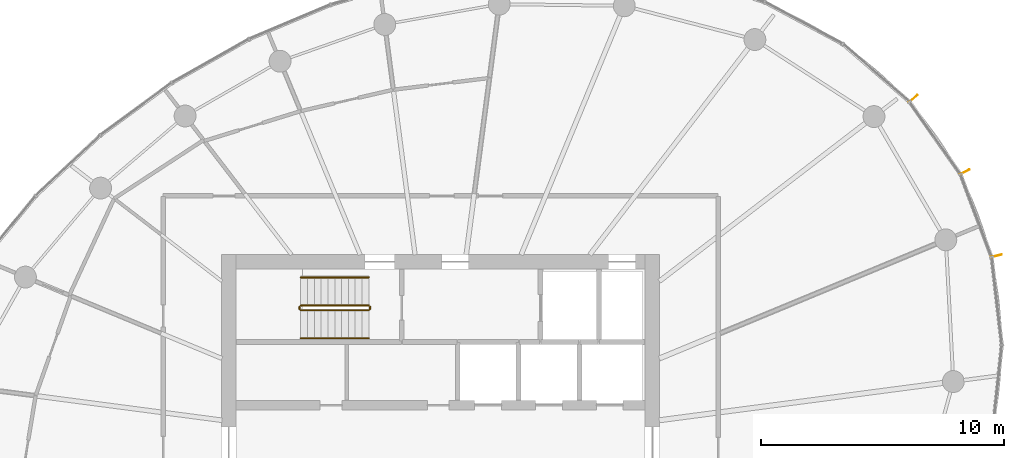
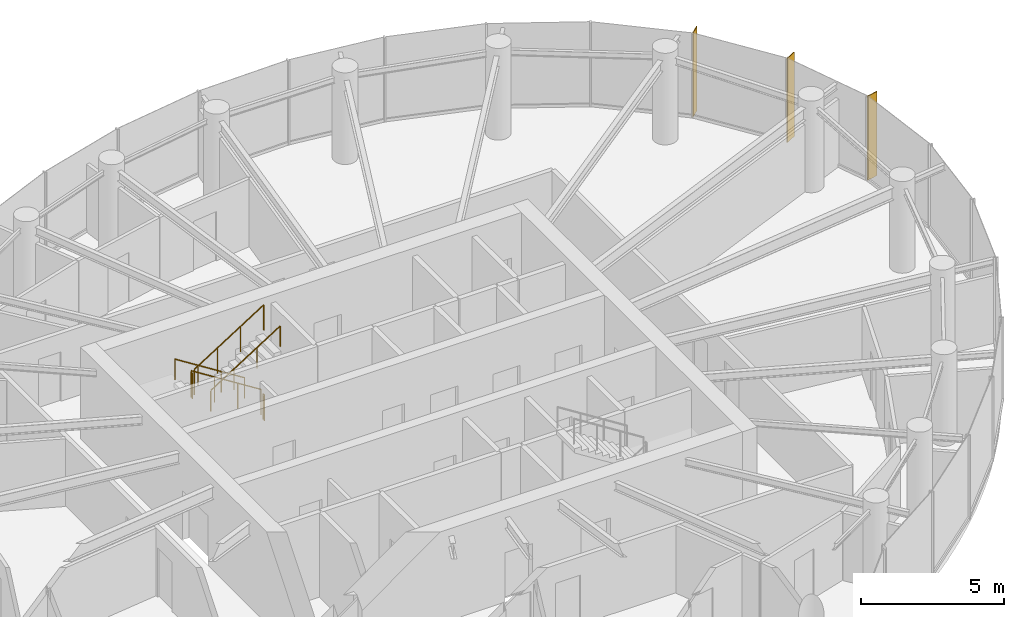
# One storey, part 13 of 13: 6 railings, 3 shading devices.
"""IFC4 building model written with IfcOpenShell, lengths in metres."""

import ifcopenshell
import ifcopenshell.guid

model = None  # the IFC model being written
_history = None  # IfcOwnerHistory: only IFC2X3 demands one
_inside = {}  # id of a spatial element -> (the spatial element, [elements in it])
_under = {}  # id of a project, library or spatial element -> (it, [spatial elements below it])
_declared = {}  # id of a project -> (the project, [libraries it declares])
_typed = {}  # id of a type object -> (the type object, [elements of that type])
_made_of = {}  # id of a material, layer set ... -> (it, [elements and type objects made of it])


def new_model(schema):
    """Start an empty IFC model of exactly this schema.

    Asked for "IFC4X3", IfcOpenShell would pick the latest addendum, in which some entities
    have other attributes; the version numbers below select the first issue.
    IFC2X3 requires an IfcOwnerHistory on every rooted entity: one is made here for all.
    """
    global model, _history
    if schema == "IFC4X3":
        model = ifcopenshell.file(schema_version=(4, 3, 0, 0))
    else:
        model = ifcopenshell.file(schema=schema)
    _inside.clear()
    _under.clear()
    _declared.clear()
    _typed.clear()
    _made_of.clear()
    _history = None
    if model.schema == "IFC2X3":
        org = make("IfcOrganization", Name="unknown")
        user = make(
            "IfcPersonAndOrganization",
            ThePerson=make("IfcPerson", FamilyName="unknown"),
            TheOrganization=org,
        )
        app = make(
            "IfcApplication",
            ApplicationDeveloper=org,
            Version="unknown",
            ApplicationFullName="unknown",
            ApplicationIdentifier="unknown",
        )
        _history = make(
            "IfcOwnerHistory",
            OwningUser=user,
            OwningApplication=app,
            ChangeAction="ADDED",
            CreationDate=0,
        )
    return model


def make(cls, **values):
    """One entity of the class cls with the attributes given. An attribute that is None is left unset."""
    return model.create_entity(
        cls, **{name: value for name, value in values.items() if value is not None}
    )


def rooted(cls, **values):
    """An entity with a GlobalId (a new one), such as an element, a storey or a relation."""
    return make(cls, GlobalId=ifcopenshell.guid.new(), OwnerHistory=_history, **values)


def si_unit(unit_type, name, prefix=None):
    """IfcSIUnit, for example si_unit("LENGTHUNIT", "METRE", prefix="MILLI")."""
    return make("IfcSIUnit", UnitType=unit_type, Prefix=prefix, Name=name)


def assignment(units):
    """IfcUnitAssignment: the units of a project."""
    return None if units is None else make("IfcUnitAssignment", Units=units)


def point(xyz):
    """IfcCartesianPoint."""
    return None if xyz is None else make("IfcCartesianPoint", Coordinates=xyz)


def direction(xyz):
    """IfcDirection."""
    return None if xyz is None else make("IfcDirection", DirectionRatios=xyz)


def frame(location, z_axis=None, x_axis=None):
    """IfcAxis2Placement3D, a coordinate frame: its origin and axes. An axis left out is left unset."""
    return make(
        "IfcAxis2Placement3D",
        Location=point(location),
        Axis=direction(z_axis),
        RefDirection=direction(x_axis),
    )


def frame_2d(location, x_axis=None):
    """IfcAxis2Placement2D, a coordinate frame in the plane: its origin and x axis."""
    return make(
        "IfcAxis2Placement2D", Location=point(location), RefDirection=direction(x_axis)
    )


def origin():
    """The frame at (0, 0, 0) with its axes left unset."""
    return frame((0.0, 0.0, 0.0))


def origin_2d():
    """The frame at (0, 0) in the plane with its x axis left unset."""
    return frame_2d((0.0, 0.0))


def place(relative_to, where):
    """IfcLocalPlacement: puts the frame where relative to a parent placement (None: the world)."""
    return make(
        "IfcLocalPlacement", PlacementRelTo=relative_to, RelativePlacement=where
    )


def context(
    kind, dimensions, precision=None, world=None, true_north=None, identifier=None
):
    """IfcGeometricRepresentationContext, for example the 3D "Model" context."""
    return make(
        "IfcGeometricRepresentationContext",
        ContextIdentifier=identifier,
        ContextType=kind,
        CoordinateSpaceDimension=dimensions,
        Precision=precision,
        WorldCoordinateSystem=world,
        TrueNorth=true_north,
    )


def subcontext(parent, identifier, kind, view, scale=None):
    """IfcGeometricRepresentationSubContext, for example "Body" below "Model"."""
    return make(
        "IfcGeometricRepresentationSubContext",
        ContextIdentifier=identifier,
        ContextType=kind,
        ParentContext=parent,
        TargetScale=scale,
        TargetView=view,
    )


def project(units=None, contexts=None):
    """IfcProject with its units and contexts."""
    return rooted(
        "IfcProject",
        Name="project",
        RepresentationContexts=contexts,
        UnitsInContext=assignment(units),
    )


def spatial(cls, under=None, at=None, **own):
    """A site, building, storey or space (cls), placed at a placement, below another one or the project."""
    s = rooted(cls, ObjectPlacement=at, **own)
    if under is not None:
        _under.setdefault(under.id(), (under, []))[1].append(s)
    return s


def profile(cls, at=None, kind="AREA", **sizes):
    """A parametric profile (cls). Its sizes go by their IFC names, for example OverallWidth=200.0."""
    return make(cls, ProfileType=kind, Position=at, **sizes)


def rectangle(**sizes):
    """IfcRectangleProfileDef."""
    return profile("IfcRectangleProfileDef", **sizes)


def circle(**sizes):
    """IfcCircleProfileDef."""
    return profile("IfcCircleProfileDef", **sizes)


def extrude(swept, where, along, depth):
    """IfcExtrudedAreaSolid: the profile swept, set in the frame where, extruded along a direction by depth."""
    return make(
        "IfcExtrudedAreaSolid",
        SweptArea=swept,
        Position=where,
        ExtrudedDirection=direction(along),
        Depth=depth,
    )


def shape(context_of_items, identifier, shape_type, items):
    """IfcShapeRepresentation: the items that make up one representation, for example the "Body"."""
    return make(
        "IfcShapeRepresentation",
        ContextOfItems=context_of_items,
        RepresentationIdentifier=identifier,
        RepresentationType=shape_type,
        Items=items,
    )


def source(mapping_origin, context_of_items, identifier, shape_type, items):
    """IfcRepresentationMap: a shape defined once, which mapped items show again and again."""
    return make(
        "IfcRepresentationMap",
        MappingOrigin=mapping_origin,
        MappedRepresentation=shape(context_of_items, identifier, shape_type, items),
    )


def transform(
    local_origin,
    x_axis=None,
    y_axis=None,
    z_axis=None,
    scale=None,
    scale2=None,
    scale3=None,
    uniform=True,
):
    """IfcCartesianTransformationOperator3D, or its non-uniform kind. x_axis, y_axis, z_axis: its Axis1, 2, 3."""
    if uniform:
        return make(
            "IfcCartesianTransformationOperator3D",
            Axis1=direction(x_axis),
            Axis2=direction(y_axis),
            LocalOrigin=point(local_origin),
            Scale=scale,
            Axis3=direction(z_axis),
        )
    return make(
        "IfcCartesianTransformationOperator3DnonUniform",
        Axis1=direction(x_axis),
        Axis2=direction(y_axis),
        LocalOrigin=point(local_origin),
        Scale=scale,
        Axis3=direction(z_axis),
        Scale2=scale2,
        Scale3=scale3,
    )


def mapped(mapping_source, mapping_target):
    """IfcMappedItem: shows the shape of a source again, moved by a transform."""
    return make(
        "IfcMappedItem", MappingSource=mapping_source, MappingTarget=mapping_target
    )


def material(Name=None, Category=None):
    """IfcMaterial."""
    return make("IfcMaterial", Name=Name, Category=Category)


def material_profile(
    of_material, cross_section, Name=None, Category=None, Priority=None
):
    """IfcMaterialProfile: a cross section and its material."""
    return make(
        "IfcMaterialProfile",
        Name=Name,
        Material=of_material,
        Profile=cross_section,
        Priority=Priority,
        Category=Category,
    )


def profile_set(profiles, Name=None, composite=None):
    """IfcMaterialProfileSet."""
    return make(
        "IfcMaterialProfileSet",
        Name=Name,
        MaterialProfiles=profiles,
        CompositeProfile=composite,
    )


def made_of(thing, what):
    """Note that an element or type object is made of a material, layer set ...; save() writes the relation."""
    if what is not None:
        _made_of.setdefault(what.id(), (what, []))[1].append(thing)
    return thing


def type_object(cls, material=None, **own):
    """A type object (cls), such as IfcWallType, which elements share."""
    return made_of(rooted(cls, **own), material)


def element(
    cls,
    number,
    at=None,
    inside=None,
    cuts=None,
    type_object=None,
    material=None,
    context=None,
    identifier="Body",
    shape_type=None,
    held_by="IfcProductDefinitionShape",
    body=None,
    shapes=None,
    **own,
):
    """One element of the class cls, such as IfcWall. Its Tag is "e" and its number.

    at: its placement. inside: the storey or other place that contains it. cuts: it is an
    opening in that element (IfcRelVoidsElement). A single representation is given by context,
    identifier, shape_type and body (its items); several are given by shapes. held_by: the class
    of the entity that holds the representations. save() writes the other relations.
    """
    e = rooted(cls, Tag="e%d" % number, ObjectPlacement=at, **own)
    if body is not None:
        shapes = [shape(context, identifier, shape_type, body)]
    if shapes is not None:
        e.Representation = make(held_by, Representations=shapes)
    if inside is not None:
        _inside.setdefault(inside.id(), (inside, []))[1].append(e)
    if cuts is not None:
        rooted(
            "IfcRelVoidsElement", RelatingBuildingElement=cuts, RelatedOpeningElement=e
        )
    if type_object is not None:
        _typed.setdefault(type_object.id(), (type_object, []))[1].append(e)
    return made_of(e, material)


def aggregate(whole, parts):
    """IfcRelAggregates: a whole, such as a stair, and the parts it consists of."""
    return rooted("IfcRelAggregates", RelatingObject=whole, RelatedObjects=parts)


def save(model, path):
    """Write the relations noted so far, then the file.

    IfcRelAggregates (storeys below a building ...), IfcRelContainedInSpatialStructure (elements
    in a storey), IfcRelDefinesByType, IfcRelAssociatesMaterial and IfcRelDeclares: one each for
    every whole, place, type object, material and project.
    """
    for whole, parts in _under.values():
        aggregate(whole, parts)
    for where, things in _inside.values():
        rooted(
            "IfcRelContainedInSpatialStructure",
            RelatedElements=things,
            RelatingStructure=where,
        )
    for kind, things in _typed.values():
        rooted("IfcRelDefinesByType", RelatedObjects=things, RelatingType=kind)
    for what, things in _made_of.values():
        rooted("IfcRelAssociatesMaterial", RelatedObjects=things, RelatingMaterial=what)
    for by, libraries in _declared.values():
        rooted("IfcRelDeclares", RelatingContext=by, RelatedDefinitions=libraries)
    model.write(path)


model = new_model("IFC4")

# Units and contexts
model_context = context("Model", 3, precision=1e-05, world=origin(), true_north=direction((0.0, 1.0)))
body_context = subcontext(model_context, "Body", "Model", "MODEL_VIEW")
ifc_project = project(units=[si_unit("LENGTHUNIT", "METRE"), si_unit("AREAUNIT", "SQUARE_METRE"), si_unit("VOLUMEUNIT", "CUBIC_METRE"), si_unit("PLANEANGLEUNIT", "RADIAN"), si_unit("MASSUNIT", "GRAM", prefix="KILO")], contexts=[model_context])

# Site, building, storey
site_placement = place(None, origin())
site = spatial("IfcSite", under=ifc_project, at=site_placement, CompositionType="ELEMENT")
building_placement = place(site_placement, origin())
building = spatial("IfcBuilding", under=site, at=building_placement, Name="Spindrift Exchange Tower", CompositionType="ELEMENT")
storey_placement = place(building_placement, frame((0.0, 0.0, 222.800048828125)))
storey = spatial("IfcBuildingStorey", under=building, at=storey_placement, Name="L54", CompositionType="ELEMENT", Elevation=222.800048828125)

# Railings
ifc_material_1 = material(Name="Steel balustrade", Category="steel")
railing_type_1 = type_object("IfcRailingType", Name="RL-STAIR-GUARD", PredefinedType="GUARDRAIL", material=ifc_material_1)
railing_1_placement = place(storey_placement, frame((49.050048828125, 53.89990234375, 0.17724609375)))
element("IfcRailing", 1, at=railing_1_placement, inside=storey, type_object=railing_type_1, Name="L54 ST1 stair guard 1", PredefinedType="GUARDRAIL", context=body_context, shape_type="SweptSolid", body=[
    extrude(circle(Radius=0.02392578125, at=origin_2d()), frame((0.0, 0.0, 1.076171875), z_axis=(-0.844908973607, 0.0, 0.534910110503), x_axis=(0.0, -1.0, 0.0)), (0.0, 0.0, 1.0), 3.31396484375),
    extrude(circle(Radius=0.02099609375, at=origin_2d()), origin(), (0.0, 0.0, 1.0), 1.052001953125),
    extrude(circle(Radius=0.02099609375, at=origin_2d()), frame((-0.933349609375, 0.0, 0.5908203125)), (0.0, 0.0, 1.0), 1.052001953125),
    extrude(circle(Radius=0.02099609375, at=origin_2d()), frame((-1.86669921875, 0.0, 1.181884765625)), (0.0, 0.0, 1.0), 1.052001953125),
    extrude(circle(Radius=0.02099609375, at=origin_2d()), frame((-2.800048828125, 0.0, 1.772705078125)), (0.0, 0.0, 1.0), 1.052001953125),
])
railing_2_placement = place(storey_placement, frame((46.199951171875, 53.85009765625, 1.949951171875)))
element("IfcRailing", 2, at=railing_2_placement, inside=storey, type_object=railing_type_1, Name="L54 ST1 stair guard 2", PredefinedType="GUARDRAIL", context=body_context, shape_type="SweptSolid", body=[
    extrude(circle(Radius=0.02392578125, at=origin_2d()), frame((0.0, 0.0, 1.076171875), z_axis=(0.0, -1.0, 0.0), x_axis=(1.0, 0.0, 0.0)), (0.0, 0.0, 1.0), 0.10009765625),
    extrude(circle(Radius=0.02099609375, at=origin_2d()), origin(), (0.0, 0.0, 1.0), 1.052001953125),
    extrude(circle(Radius=0.02099609375, at=origin_2d()), frame((0.0, -0.10009765625, 0.0)), (0.0, 0.0, 1.0), 1.052001953125),
])
railing_3_placement = place(storey_placement, frame((46.25, 53.699951171875, 2.127197265625)))
element("IfcRailing", 3, at=railing_3_placement, inside=storey, type_object=railing_type_1, Name="L54 ST1 stair guard 3", PredefinedType="GUARDRAIL", context=body_context, shape_type="SweptSolid", body=[
    extrude(circle(Radius=0.02392578125, at=origin_2d()), frame((0.0, 0.0, 1.076171875), z_axis=(0.844908973607, 0.0, 0.534910110503), x_axis=(0.0, 1.0, 0.0)), (0.0, 0.0, 1.0), 3.31396484375),
    extrude(circle(Radius=0.02099609375, at=origin_2d()), origin(), (0.0, 0.0, 1.0), 1.052001953125),
    extrude(circle(Radius=0.02099609375, at=origin_2d()), frame((0.933349609375, 0.0, 0.5908203125)), (0.0, 0.0, 1.0), 1.052001953125),
    extrude(circle(Radius=0.02099609375, at=origin_2d()), frame((1.86669921875, 0.0, 1.181884765625)), (0.0, 0.0, 1.0), 1.052001953125),
    extrude(circle(Radius=0.02099609375, at=origin_2d()), frame((2.800048828125, 0.0, 1.772705078125)), (0.0, 0.0, 1.0), 1.052001953125),
])
railing_4_placement = place(storey_placement, frame((49.10009765625, 53.85009765625, 0.0)))
element("IfcRailing", 4, at=railing_4_placement, inside=storey, type_object=railing_type_1, Name="L54 ST1 stair guard 4", PredefinedType="GUARDRAIL", context=body_context, shape_type="SweptSolid", body=[
    extrude(circle(Radius=0.02392578125, at=origin_2d()), frame((0.0, 0.0, 1.076171875), z_axis=(0.0, -1.0, 0.0), x_axis=(1.0, 0.0, 0.0)), (0.0, 0.0, 1.0), 0.10009765625),
    extrude(circle(Radius=0.02099609375, at=origin_2d()), origin(), (0.0, 0.0, 1.0), 1.052001953125),
    extrude(circle(Radius=0.02099609375, at=origin_2d()), frame((0.0, -0.10009765625, 0.0)), (0.0, 0.0, 1.0), 1.052001953125),
])
ifc_material_2 = material(Name="Steel tubular handrail", Category="steel")
railing_type_2 = type_object("IfcRailingType", Name="RL-STAIR-HAND", PredefinedType="HANDRAIL", material=ifc_material_2)
railing_5_placement = place(storey_placement, frame((49.050048828125, 55.050048828125, 0.17724609375)))
element("IfcRailing", 5, at=railing_5_placement, inside=storey, type_object=railing_type_2, Name="L54 ST1 stair handrail 1", PredefinedType="HANDRAIL", context=body_context, shape_type="SweptSolid", body=[
    extrude(circle(Radius=0.02392578125, at=origin_2d()), frame((0.0, 0.0, 0.8759765625), z_axis=(-0.844908973607, 0.0, 0.534910110503), x_axis=(0.0, -1.0, 0.0)), (0.0, 0.0, 1.0), 3.31396484375),
    extrude(circle(Radius=0.02099609375, at=origin_2d()), origin(), (0.0, 0.0, 1.0), 0.851806640625),
    extrude(circle(Radius=0.02099609375, at=origin_2d()), frame((-0.933349609375, 0.0, 0.5908203125)), (0.0, 0.0, 1.0), 0.851806640625),
    extrude(circle(Radius=0.02099609375, at=origin_2d()), frame((-1.86669921875, 0.0, 1.181884765625)), (0.0, 0.0, 1.0), 0.851806640625),
    extrude(circle(Radius=0.02099609375, at=origin_2d()), frame((-2.800048828125, 0.0, 1.772705078125)), (0.0, 0.0, 1.0), 0.851806640625),
])
railing_6_placement = place(storey_placement, frame((46.25, 52.550048828125, 2.127197265625)))
element("IfcRailing", 6, at=railing_6_placement, inside=storey, type_object=railing_type_2, Name="L54 ST1 stair handrail 2", PredefinedType="HANDRAIL", context=body_context, shape_type="SweptSolid", body=[
    extrude(circle(Radius=0.02392578125, at=origin_2d()), frame((0.0, 0.0, 0.8759765625), z_axis=(0.844908973607, 0.0, 0.534910110503), x_axis=(0.0, 1.0, 0.0)), (0.0, 0.0, 1.0), 3.31396484375),
    extrude(circle(Radius=0.02099609375, at=origin_2d()), origin(), (0.0, 0.0, 1.0), 0.851806640625),
    extrude(circle(Radius=0.02099609375, at=origin_2d()), frame((0.933349609375, 0.0, 0.5908203125)), (0.0, 0.0, 1.0), 0.851806640625),
    extrude(circle(Radius=0.02099609375, at=origin_2d()), frame((1.86669921875, 0.0, 1.181884765625)), (0.0, 0.0, 1.0), 0.851806640625),
    extrude(circle(Radius=0.02099609375, at=origin_2d()), frame((2.800048828125, 0.0, 1.772705078125)), (0.0, 0.0, 1.0), 0.851806640625),
])

# Shading devices
ifc_material_3 = material(Name="Bronze anodised aluminium", Category="aluminium")
ifc_material_profile = material_profile(ifc_material_3, rectangle(XDim=0.030029296875, YDim=0.449951171875, at=origin_2d()), Name="WIND FIN 30X450")
ifc_profile_set = profile_set([ifc_material_profile], Name="Bronze anodised aluminium")
shading_device_type = type_object("IfcShadingDeviceType", Name="WIND FIN 30X450", PredefinedType="USERDEFINED", material=ifc_profile_set)
shared_shape = source(origin(), body_context, "Body", "SweptSolid", [
    extrude(rectangle(XDim=0.030029296875, YDim=0.449951171875, at=origin_2d()), origin(), (0.0, 0.0, 1.0), 3.579833984375),
])
for number, where, z_axis, x_axis, name in (
    (7, (73.531982421875, 59.3828125, 0.0), (0.0, 0.0, 1.0), (-0.467366720717, 0.884063543172, 0.0), "L54 wind fin 2"),
    (8, (71.412841796875, 62.39599609375, 0.0), (0.0, 0.0, 1.0), (-0.670610487251, 0.741809661833, 0.0), "L54 wind fin 3"),
    (9, (74.828369140625, 55.93505859375, 0.0), (0.0, 0.0, 1.0), (-0.23534906759, 0.971910909695, 0.0), "L54 wind fin 4"),
):
    element("IfcShadingDevice", number, at=place(storey_placement, frame(where, z_axis=z_axis, x_axis=x_axis)), inside=storey, type_object=shading_device_type, Name=name, ObjectType="FIN", PredefinedType="USERDEFINED", context=body_context, shape_type="MappedRepresentation", body=[
        mapped(shared_shape, transform((0.0, 0.0, 0.0), scale=1.0)),
    ])

save(model, "model.ifc")
